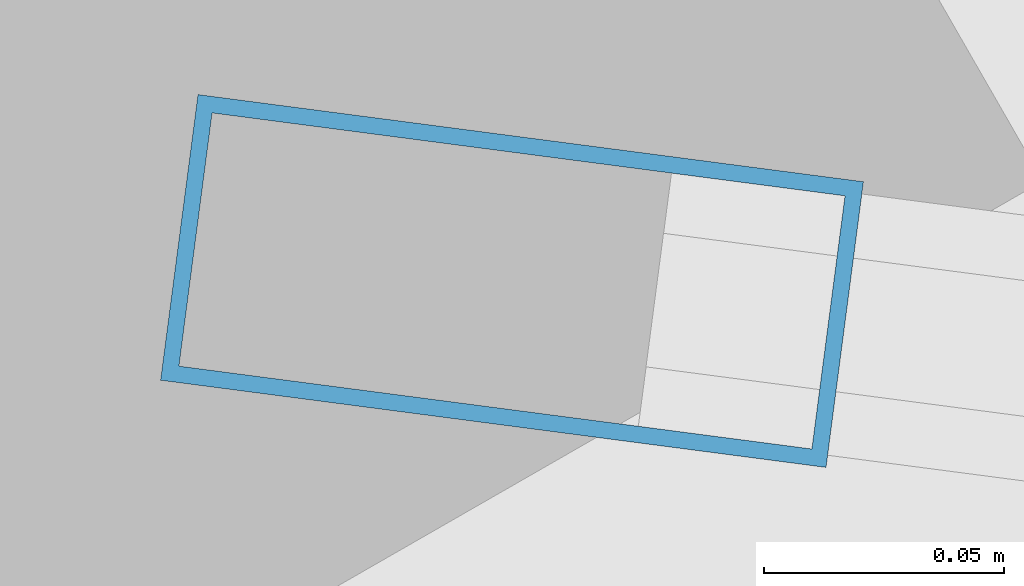
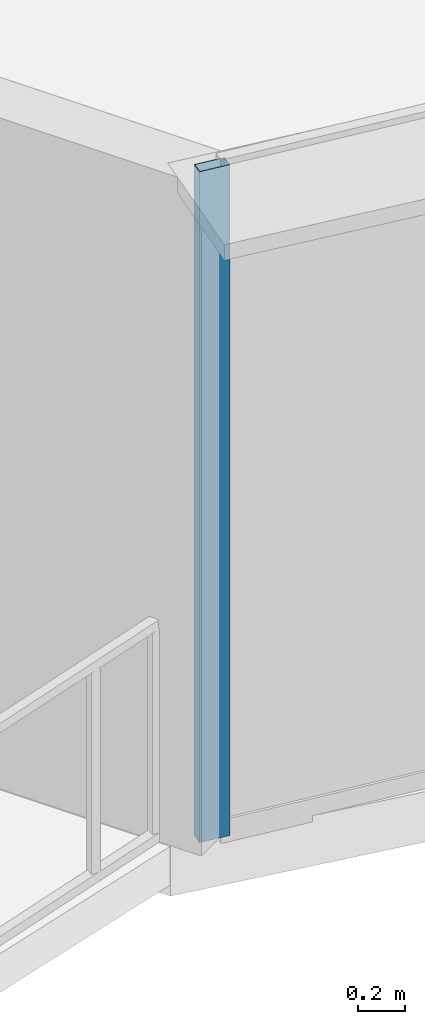
# One storey, part 2 of 35: 1 member, 1 element without a shape of its own.
"""IFC4 building model written with IfcOpenShell, lengths in metres."""

from ifc_helpers import new_model, si_unit, direction, frame, origin, origin_2d, place, context, subcontext, project, spatial, hollow_rectangle, extrude, source, transform, mapped, material, layer, layer_set, material_profile, profile_set, type_object, element, aggregate, save


model = new_model("IFC4")

# Units and contexts
model_context = context("Model", 3, precision=1e-05, world=origin(), true_north=direction((0.0, 1.0)))
body_context = subcontext(model_context, "Body", "Model", "MODEL_VIEW")
ifc_project = project(units=[si_unit("LENGTHUNIT", "METRE"), si_unit("AREAUNIT", "SQUARE_METRE"), si_unit("VOLUMEUNIT", "CUBIC_METRE"), si_unit("PLANEANGLEUNIT", "RADIAN"), si_unit("MASSUNIT", "GRAM", prefix="KILO"), si_unit("THERMODYNAMICTEMPERATUREUNIT", "KELVIN"), si_unit("POWERUNIT", "WATT")], contexts=[model_context])

# Site, building, storey
site_placement = place(None, origin())
site = spatial("IfcSite", under=ifc_project, at=site_placement, CompositionType="ELEMENT")
building_placement = place(site_placement, origin())
building = spatial("IfcBuilding", under=site, at=building_placement, Name="Yunzhuo Pagoda Commons", CompositionType="ELEMENT")
storey_placement = place(building_placement, frame((0.0, 0.0, 299.93994140625)))
storey = spatial("IfcBuildingStorey", under=building, at=storey_placement, Name="L75", CompositionType="ELEMENT", Elevation=299.93994140625)

# Curtain wall, member
ifc_material = material(Name="Anodized aluminium 6063-T6", Category="aluminium")
ifc_layer = layer(ifc_material, 0.139892578125)
ifc_layer_set = layer_set([ifc_layer], Name="Anodized aluminium 6063-T6")
curtain_wall_type = type_object("IfcCurtainWallType", Name="CW-HI High-Zone Ribbon Curtain Wall", PredefinedType="NOTDEFINED", material=ifc_layer_set)
curtain_wall_placement = place(storey_placement, origin())
curtain_wall = element("IfcCurtainWall", 1, at=curtain_wall_placement, inside=storey, type_object=curtain_wall_type, Name="L75 curtain wall CW-L75-F1B1", PredefinedType="NOTDEFINED")
ifc_material_profile = material_profile(ifc_material, hollow_rectangle(XDim=0.06005859375, YDim=0.139892578125, WallThickness=0.00341796875, at=origin_2d()), Name="Anodized aluminium 6063-T6")
ifc_profile_set = profile_set([ifc_material_profile], Name="Anodized aluminium 6063-T6")
member_type = type_object("IfcMemberType", Name="CW-HI-M Mullion RHS 140x60x3.5", PredefinedType="MULLION", material=ifc_profile_set)
shared_shape = source(origin(), body_context, "Body", "SweptSolid", [
    extrude(hollow_rectangle(XDim=0.06005859375, YDim=0.139892578125, WallThickness=0.00341796875, at=origin_2d()), origin(), (0.0, 0.0, 1.0), 3.469970703125),
])
member_placement = place(storey_placement, frame((20.662841796875, 22.013916015625, 0.0), z_axis=(0.0, 0.0, 1.0), x_axis=(0.129855071238, 0.991532985066, 0.0)))
member = element("IfcMember", 2, at=member_placement, type_object=member_type, Name="CW mullion 1", PredefinedType="MULLION", context=body_context, shape_type="MappedRepresentation", body=[
    mapped(shared_shape, transform((0.0, 0.0, 0.0), scale=1.0)),
])
aggregate(curtain_wall, [member])

save(model, "model.ifc")
